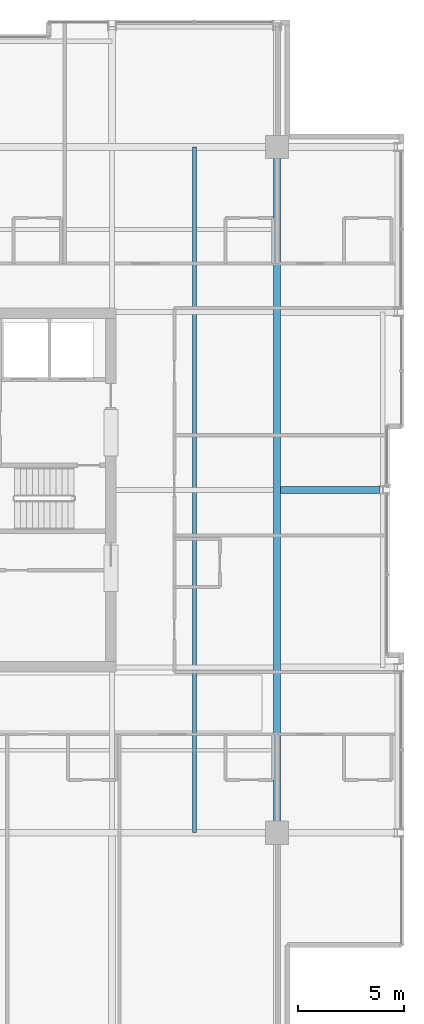
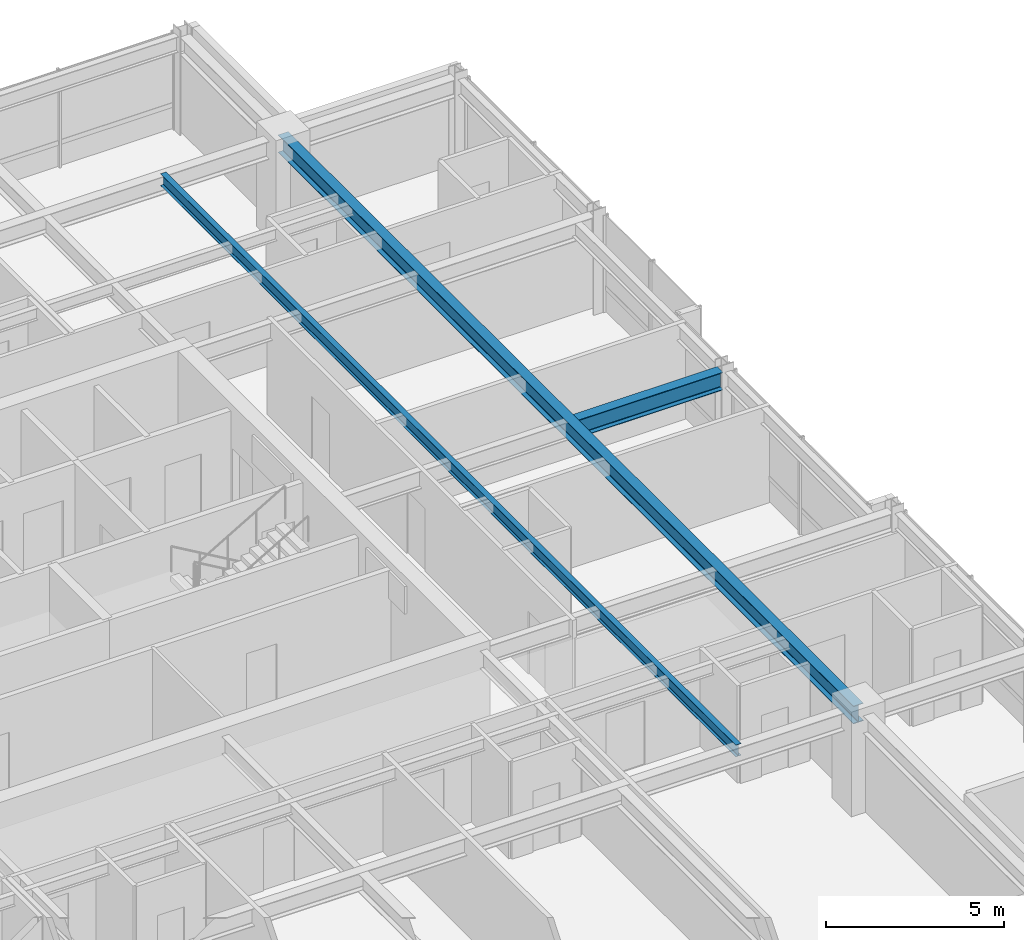
# One storey, part 15 of 32: 3 beams.
"""IFC4 building model written with IfcOpenShell, lengths in metres."""

from ifc_helpers import new_model, si_unit, direction, frame, origin, origin_2d, place, context, subcontext, project, spatial, i_section, extrude, material, material_profile, profile_set, type_object, element, save


model = new_model("IFC4")

# Units and contexts
model_context = context("Model", 3, precision=1e-05, world=origin(), true_north=direction((0.0, 1.0)))
body_context = subcontext(model_context, "Body", "Model", "MODEL_VIEW")
ifc_project = project(units=[si_unit("LENGTHUNIT", "METRE"), si_unit("AREAUNIT", "SQUARE_METRE"), si_unit("VOLUMEUNIT", "CUBIC_METRE"), si_unit("PLANEANGLEUNIT", "RADIAN"), si_unit("MASSUNIT", "GRAM", prefix="KILO")], contexts=[model_context])

# Site, building, storey
site_placement = place(None, origin())
site = spatial("IfcSite", under=ifc_project, at=site_placement, CompositionType="ELEMENT")
building_placement = place(site_placement, origin())
building = spatial("IfcBuilding", under=site, at=building_placement, Name="Drelvath Grand Hotel", CompositionType="ELEMENT")
storey_placement = place(building_placement, frame((0.0, 0.0, 226.699951171875)))
storey = spatial("IfcBuildingStorey", under=building, at=storey_placement, Name="L59", CompositionType="ELEMENT", Elevation=226.699951171875)

# Beams
ifc_material = material(Name="Steel ASTM A992 Gr 50", Category="steel")
ifc_material_profile_1 = material_profile(ifc_material, i_section(OverallWidth=0.177734375, OverallDepth=0.40673828125, WebThickness=0.0078125, FlangeThickness=0.0126953125, FilletRadius=0.014892578125, at=origin_2d()), Name="W16X40")
ifc_profile_set_1 = profile_set([ifc_material_profile_1], Name="Steel ASTM A992 Gr 50")
beam_type_1 = type_object("IfcBeamType", Name="Composite Floor Joist W16X40", PredefinedType="JOIST", material=ifc_profile_set_1)
beam_1_placement = place(storey_placement, frame((12.300048828125, 10.800048828125, 3.13671875), z_axis=(0.0, 1.0, 0.0), x_axis=(-1.0, 0.0, 0.0)))
element("IfcBeam", 1, at=beam_1_placement, inside=storey, type_object=beam_type_1, Name="L59 Wing Floor Joist J4", PredefinedType="JOIST", context=body_context, shape_type="SweptSolid", body=[
    extrude(i_section(OverallWidth=0.177734375, OverallDepth=0.40673828125, WebThickness=0.0078125, FlangeThickness=0.0126953125, FilletRadius=0.014892578125, at=origin_2d()), origin(), (0.0, 0.0, 1.0), 32.39990234375),
])
ifc_material_profile_2 = material_profile(ifc_material, i_section(OverallWidth=0.323974609375, OverallDepth=0.611083984375, WebThickness=0.0126953125, FlangeThickness=0.01904296875, FilletRadius=0.02197265625, at=origin_2d()), Name="W24X104")
ifc_profile_set_2 = profile_set([ifc_material_profile_2], Name="Steel ASTM A992 Gr 50")
beam_type_2 = type_object("IfcBeamType", Name="Primary Floor Girder W24X104", PredefinedType="BEAM", material=ifc_profile_set_2)
beam_2_placement = place(storey_placement, frame((16.199951171875, 10.800048828125, 3.034423828125), z_axis=(0.0, 1.0, 0.0), x_axis=(-1.0, 0.0, 0.0)))
element("IfcBeam", 2, at=beam_2_placement, inside=storey, type_object=beam_type_2, Name="L59 Mega Ring Girder East", PredefinedType="BEAM", context=body_context, shape_type="SweptSolid", body=[
    extrude(i_section(OverallWidth=0.323974609375, OverallDepth=0.611083984375, WebThickness=0.0126953125, FlangeThickness=0.01904296875, FilletRadius=0.02197265625, at=origin_2d()), origin(), (0.0, 0.0, 1.0), 32.39990234375),
])
beam_3_placement = place(storey_placement, frame((16.362060546875, 27.0, 3.034423828125), z_axis=(1.0, 0.0, 0.0), x_axis=(0.0, 1.0, 0.0)))
element("IfcBeam", 3, at=beam_3_placement, inside=storey, type_object=beam_type_2, Name="L59 East Wing Girder E", PredefinedType="BEAM", context=body_context, shape_type="SweptSolid", body=[
    extrude(i_section(OverallWidth=0.323974609375, OverallDepth=0.611083984375, WebThickness=0.0126953125, FlangeThickness=0.01904296875, FilletRadius=0.02197265625, at=origin_2d()), origin(), (0.0, 0.0, 1.0), 4.697998046875),
])

save(model, "model.ifc")
